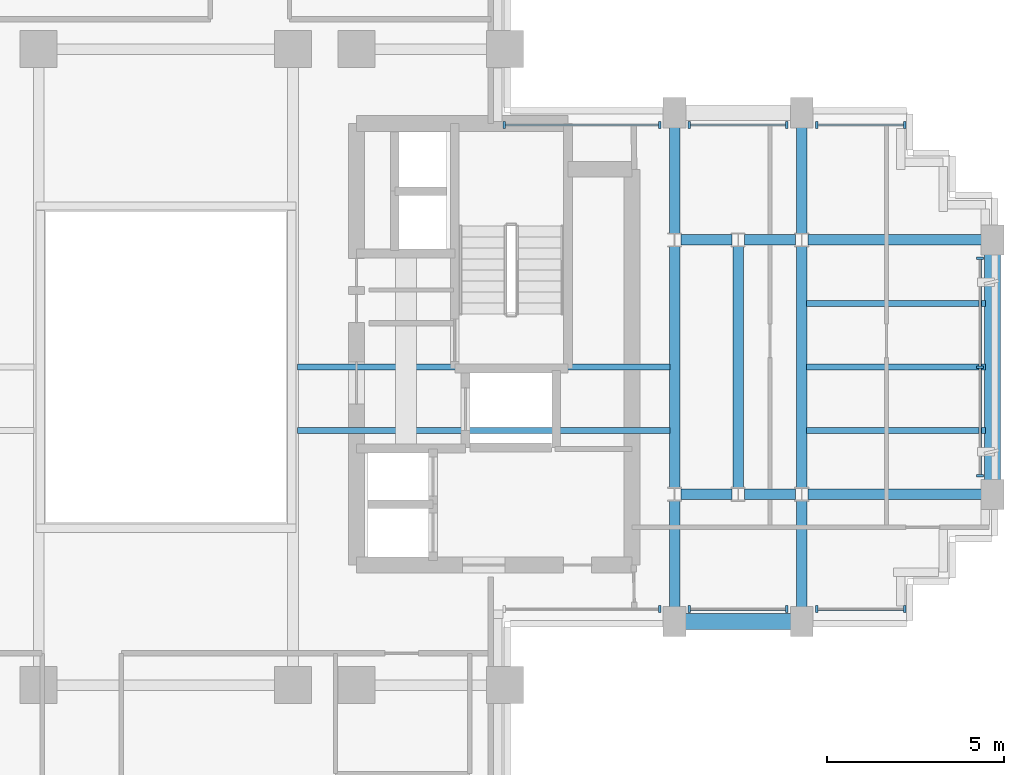
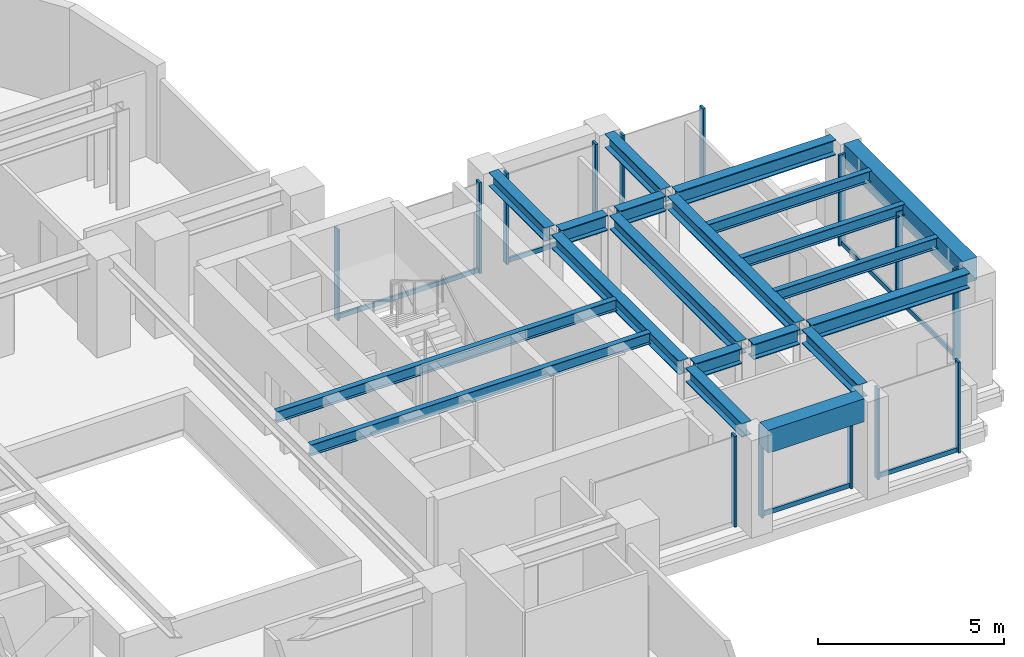
# One storey, part 5 of 14: 21 members, 20 beams, 7 elements without a shape of their own.
"""IFC4 building model written with IfcOpenShell, lengths in metres."""

from ifc_helpers import new_model, si_unit, direction, frame, origin, origin_2d, place, context, subcontext, project, spatial, rectangle, i_section, extrude, source, transform, mapped, material, material_profile, profile_set, type_object, element, aggregate, save


model = new_model("IFC4")

# Units and contexts
model_context = context("Model", 3, precision=1e-05, world=origin(), true_north=direction((0.0, 1.0)))
body_context = subcontext(model_context, "Body", "Model", "MODEL_VIEW")
ifc_project = project(units=[si_unit("LENGTHUNIT", "METRE"), si_unit("AREAUNIT", "SQUARE_METRE"), si_unit("VOLUMEUNIT", "CUBIC_METRE"), si_unit("PLANEANGLEUNIT", "RADIAN"), si_unit("MASSUNIT", "GRAM", prefix="KILO")], contexts=[model_context])

# Site, building, storey
site_placement = place(None, origin())
site = spatial("IfcSite", under=ifc_project, at=site_placement, CompositionType="ELEMENT")
building_placement = place(site_placement, origin())
building = spatial("IfcBuilding", under=site, at=building_placement, Name="Keilestroom Media Tower", CompositionType="ELEMENT")
storey_placement = place(building_placement, frame((0.0, 0.0, 121.0)))
storey = spatial("IfcBuildingStorey", under=building, at=storey_placement, Name="L32", CompositionType="ELEMENT", Elevation=121.0)

# Beams
ifc_material_1 = material(Name="Steel S355", Category="steel")
ifc_material_profile_1 = material_profile(ifc_material_1, i_section(OverallWidth=0.169921875, OverallDepth=0.360107421875, WebThickness=0.008056640625, FlangeThickness=0.0126953125, at=origin_2d()), Name="IPE 360")
ifc_profile_set_1 = profile_set([ifc_material_profile_1], Name="Steel S355")
beam_type_1 = type_object("IfcBeamType", Name="Secondary-Floor-Joist-IPE-360", PredefinedType="JOIST", material=ifc_profile_set_1)
shared_shape_1 = source(origin(), body_context, "Body", "SweptSolid", [
    extrude(i_section(OverallWidth=0.169921875, OverallDepth=0.360107421875, WebThickness=0.008056640625, FlangeThickness=0.0126953125, at=origin_2d()), origin(), (0.0, 0.0, 1.0), 10.5400390625),
])
for number, where, z_axis, x_axis, name in (
    (1, (3.72998046875, -1.800048828125, 3.02001953125), (1.0, 0.0, 0.0), (0.0, 1.0, 0.0), "L32 Beam BJ-5 JST-L32-074"),
    (2, (3.72998046875, 0.0, 3.02001953125), (1.0, 0.0, 0.0), (0.0, 1.0, 0.0), "L32 Beam BJ-5 JST-L32-079"),
):
    element("IfcBeam", number, at=place(storey_placement, frame(where, z_axis=z_axis, x_axis=x_axis)), inside=storey, type_object=beam_type_1, Name=name, PredefinedType="JOIST", context=body_context, shape_type="MappedRepresentation", body=[
        mapped(shared_shape_1, transform((0.0, 0.0, 0.0), x_axis=(1.0, 0.0, 0.0), y_axis=(0.0, 1.0, 0.0), z_axis=(0.0, 0.0, 1.0), scale=1.0)),
    ])
ifc_material_2 = material(Name="Precast concrete C40/50", Category="concrete")
ifc_material_profile_2 = material_profile(ifc_material_2, rectangle(XDim=0.449951171875, YDim=0.75, at=origin_2d()), Name="PC 450x750")
ifc_profile_set_2 = profile_set([ifc_material_profile_2], Name="Precast concrete C40/50")
beam_type_2 = type_object("IfcBeamType", Name="Perimeter-Spandrel-Beam-PC-450x750", PredefinedType="SPANDREL", material=ifc_profile_set_2)
shared_shape_2 = source(origin(), body_context, "Body", "SweptSolid", [
    extrude(rectangle(XDim=0.449951171875, YDim=0.75, at=origin_2d()), origin(), (0.0, 0.0, 1.0), 2.989990234375),
])
beam_1_placement = place(storey_placement, frame((14.705078125, -7.199951171875, 2.824951171875), z_axis=(1.0, 0.0, 0.0), x_axis=(0.0, 1.0, 0.0)))
element("IfcBeam", 3, at=beam_1_placement, inside=storey, type_object=beam_type_2, Name="L32 Beam SPB-1 BM-L32-EW-013", PredefinedType="SPANDREL", context=body_context, shape_type="MappedRepresentation", body=[
    mapped(shared_shape_2, transform((0.0, 0.0, 0.0), x_axis=(1.0, 0.0, 0.0), y_axis=(0.0, 1.0, 0.0), z_axis=(0.0, 0.0, 1.0), scale=1.0)),
])
ifc_material_profile_3 = material_profile(ifc_material_1, i_section(OverallWidth=0.300048828125, OverallDepth=0.5, WebThickness=0.012451171875, FlangeThickness=0.028076171875, at=origin_2d()), Name="HEB 500")
ifc_profile_set_3 = profile_set([ifc_material_profile_3], Name="Steel S355")
beam_type_3 = type_object("IfcBeamType", Name="Primary-Structural-Girder-HEB-500", PredefinedType="BEAM", material=ifc_profile_set_3)
shared_shape_3 = source(origin(), body_context, "Body", "SweptSolid", [
    extrude(i_section(OverallWidth=0.300048828125, OverallDepth=0.5, WebThickness=0.012451171875, FlangeThickness=0.028076171875, at=origin_2d()), origin(), (0.0, 0.0, 1.0), 4.91455078125),
])
for number, where, z_axis, x_axis, name in (
    (4, (18.180419921875, -3.60009765625, 2.949951171875), (1.0, 0.0, 0.0), (0.0, 1.0, 0.0), "L32 Beam BG-6 BM-L32-EW-019"),
    (5, (18.180419921875, 3.60009765625, 2.949951171875), (1.0, 0.0, 0.0), (0.0, 1.0, 0.0), "L32 Beam BG-6 BM-L32-EW-025"),
):
    element("IfcBeam", number, at=place(storey_placement, frame(where, z_axis=z_axis, x_axis=x_axis)), inside=storey, type_object=beam_type_3, Name=name, PredefinedType="BEAM", context=body_context, shape_type="MappedRepresentation", body=[
        mapped(shared_shape_3, transform((0.0, 0.0, 0.0), x_axis=(1.0, 0.0, 0.0), y_axis=(0.0, 1.0, 0.0), z_axis=(0.0, 0.0, 1.0), scale=1.0)),
    ])
shared_shape_4 = source(origin(), body_context, "Body", "SweptSolid", [
    extrude(i_section(OverallWidth=0.300048828125, OverallDepth=0.5, WebThickness=0.012451171875, FlangeThickness=0.028076171875, at=origin_2d()), origin(), (0.0, 0.0, 1.0), 1.43896484375),
])
for number, where, z_axis, x_axis, name in (
    (6, (14.58056640625, -3.60009765625, 2.949951171875), (1.0, 0.0, 0.0), (0.0, 1.0, 0.0), "L32 Beam BG-6 BM-L32-EW-017"),
    (7, (16.380615234375, -3.60009765625, 2.949951171875), (1.0, 0.0, 0.0), (0.0, 1.0, 0.0), "L32 Beam BG-6 BM-L32-EW-018"),
    (8, (14.58056640625, 3.60009765625, 2.949951171875), (1.0, 0.0, 0.0), (0.0, 1.0, 0.0), "L32 Beam BG-6 BM-L32-EW-023"),
    (9, (16.380615234375, 3.60009765625, 2.949951171875), (1.0, 0.0, 0.0), (0.0, 1.0, 0.0), "L32 Beam BG-6 BM-L32-EW-024"),
):
    element("IfcBeam", number, at=place(storey_placement, frame(where, z_axis=z_axis, x_axis=x_axis)), inside=storey, type_object=beam_type_3, Name=name, PredefinedType="BEAM", context=body_context, shape_type="MappedRepresentation", body=[
        mapped(shared_shape_4, transform((0.0, 0.0, 0.0), x_axis=(1.0, 0.0, 0.0), y_axis=(0.0, 1.0, 0.0), z_axis=(0.0, 0.0, 1.0), scale=1.0)),
    ])
shared_shape_5 = source(origin(), body_context, "Body", "SweptSolid", [
    extrude(rectangle(XDim=0.449951171875, YDim=0.75, at=origin_2d()), origin(), (0.0, 0.0, 1.0), 6.39013671875),
])
beam_2_placement = place(storey_placement, frame((23.39990234375, -3.195068359375, 2.824951171875), z_axis=(0.0, 1.0, 0.0), x_axis=(-1.0, 0.0, 0.0)))
element("IfcBeam", 10, at=beam_2_placement, inside=storey, type_object=beam_type_2, Name="L32 Beam SPB-1 BM-L32-NS-068", PredefinedType="SPANDREL", context=body_context, shape_type="MappedRepresentation", body=[
    mapped(shared_shape_5, transform((0.0, 0.0, 0.0), x_axis=(1.0, 0.0, 0.0), y_axis=(0.0, 1.0, 0.0), z_axis=(0.0, 0.0, 1.0), scale=1.0)),
])
ifc_material_profile_4 = material_profile(ifc_material_1, i_section(OverallWidth=0.300048828125, OverallDepth=0.449951171875, WebThickness=0.011962890625, FlangeThickness=0.02587890625, at=origin_2d()), Name="HEB 450")
ifc_profile_set_4 = profile_set([ifc_material_profile_4], Name="Steel S355")
beam_type_4 = type_object("IfcBeamType", Name="Primary-Structural-Girder-HEB-450", PredefinedType="BEAM", material=ifc_profile_set_4)
shared_shape_6 = source(origin(), body_context, "Body", "SweptSolid", [
    extrude(i_section(OverallWidth=0.300048828125, OverallDepth=0.449951171875, WebThickness=0.011962890625, FlangeThickness=0.02587890625, at=origin_2d()), origin(), (0.0, 0.0, 1.0), 3.015380859375),
])
for number, where, z_axis, x_axis, name in (
    (11, (14.39990234375, -6.794921875, 2.97509765625), (0.0, 1.0, 0.0), (-1.0, 0.0, 0.0), "L32 Beam BG-7 BM-L32-NS-061"),
    (12, (14.39990234375, 3.779541015625, 2.97509765625), (0.0, 1.0, 0.0), (-1.0, 0.0, 0.0), "L32 Beam BG-7 BM-L32-NS-063"),
    (13, (18.0, -6.794921875, 2.97509765625), (0.0, 1.0, 0.0), (-1.0, 0.0, 0.0), "L32 Beam BG-7 BM-L32-NS-065"),
    (14, (18.0, 3.779541015625, 2.97509765625), (0.0, 1.0, 0.0), (-1.0, 0.0, 0.0), "L32 Beam BG-7 BM-L32-NS-067"),
):
    element("IfcBeam", number, at=place(storey_placement, frame(where, z_axis=z_axis, x_axis=x_axis)), inside=storey, type_object=beam_type_4, Name=name, PredefinedType="BEAM", context=body_context, shape_type="MappedRepresentation", body=[
        mapped(shared_shape_6, transform((0.0, 0.0, 0.0), x_axis=(1.0, 0.0, 0.0), y_axis=(0.0, 1.0, 0.0), z_axis=(0.0, 0.0, 1.0), scale=1.0)),
    ])
shared_shape_7 = source(origin(), body_context, "Body", "SweptSolid", [
    extrude(i_section(OverallWidth=0.300048828125, OverallDepth=0.449951171875, WebThickness=0.011962890625, FlangeThickness=0.02587890625, at=origin_2d()), origin(), (0.0, 0.0, 1.0), 6.8408203125),
])
for number, where, z_axis, x_axis, name in (
    (15, (14.39990234375, -3.42041015625, 2.97509765625), (0.0, 1.0, 0.0), (-1.0, 0.0, 0.0), "L32 Beam BG-7 BM-L32-NS-062"),
    (16, (16.199951171875, -3.42041015625, 2.97509765625), (0.0, 1.0, 0.0), (-1.0, 0.0, 0.0), "L32 Beam BG-7 BM-L32-NS-064"),
    (17, (18.0, -3.42041015625, 2.97509765625), (0.0, 1.0, 0.0), (-1.0, 0.0, 0.0), "L32 Beam BG-7 BM-L32-NS-066"),
):
    element("IfcBeam", number, at=place(storey_placement, frame(where, z_axis=z_axis, x_axis=x_axis)), inside=storey, type_object=beam_type_4, Name=name, PredefinedType="BEAM", context=body_context, shape_type="MappedRepresentation", body=[
        mapped(shared_shape_7, transform((0.0, 0.0, 0.0), x_axis=(1.0, 0.0, 0.0), y_axis=(0.0, 1.0, 0.0), z_axis=(0.0, 0.0, 1.0), scale=1.0)),
    ])
shared_shape_8 = source(origin(), body_context, "Body", "SweptSolid", [
    extrude(i_section(OverallWidth=0.169921875, OverallDepth=0.360107421875, WebThickness=0.008056640625, FlangeThickness=0.0126953125, at=origin_2d()), origin(), (0.0, 0.0, 1.0), 5.065185546875),
])
for number, where, z_axis, x_axis, name in (
    (18, (18.1298828125, -1.800048828125, 3.02001953125), (1.0, 0.0, 0.0), (0.0, 1.0, 0.0), "L32 Beam BJ-5 JST-L32-075"),
    (19, (18.1298828125, 0.0, 3.02001953125), (1.0, 0.0, 0.0), (0.0, 1.0, 0.0), "L32 Beam BJ-5 JST-L32-080"),
    (20, (18.1298828125, 1.800048828125, 3.02001953125), (1.0, 0.0, 0.0), (0.0, 1.0, 0.0), "L32 Beam BJ-5 JST-L32-085"),
):
    element("IfcBeam", number, at=place(storey_placement, frame(where, z_axis=z_axis, x_axis=x_axis)), inside=storey, type_object=beam_type_1, Name=name, PredefinedType="JOIST", context=body_context, shape_type="MappedRepresentation", body=[
        mapped(shared_shape_8, transform((0.0, 0.0, 0.0), x_axis=(1.0, 0.0, 0.0), y_axis=(0.0, 1.0, 0.0), z_axis=(0.0, 0.0, 1.0), scale=1.0)),
    ])

# Curtain wall, members
ifc_material_3 = material(Name="Anodised Aluminium Alloy", Category="aluminium")
curtain_wall_type = type_object("IfcCurtainWallType", Name="Unitised-Curtain-Wall-CW-2", PredefinedType="NOTDEFINED", material=ifc_material_3)
curtain_wall_1_placement = place(storey_placement, origin())
curtain_wall_1 = element("IfcCurtainWall", 21, at=curtain_wall_1_placement, inside=storey, type_object=curtain_wall_type, Name="L32 Curtain Wall CW-2 CW-L32-E-1", PredefinedType="NOTDEFINED")
ifc_material_profile_5 = material_profile(ifc_material_3, rectangle(XDim=0.070068359375, YDim=0.199951171875, at=origin_2d()), Name="ALU MULLION 70x200")
ifc_profile_set_5 = profile_set([ifc_material_profile_5], Name="Anodised Aluminium Alloy")
member_type_1 = type_object("IfcMemberType", Name="Curtain-Wall-Mullion-CW-2", PredefinedType="MULLION", material=ifc_profile_set_5)
shared_shape_9 = source(origin(), body_context, "Body", "SweptSolid", [
    extrude(rectangle(XDim=0.070068359375, YDim=0.199951171875, at=origin_2d()), origin(), (0.0, 0.0, 1.0), 2.97998046875),
])
member_1_placement = place(storey_placement, frame((23.050048828125, -3.080078125, 0.0), z_axis=(0.0, 0.0, 1.0), x_axis=(0.0, 1.0, 0.0)))
member_1 = element("IfcMember", 22, at=member_1_placement, type_object=member_type_1, Name="CW-2 Mullion 00", PredefinedType="MULLION", context=body_context, shape_type="MappedRepresentation", body=[
    mapped(shared_shape_9, transform((0.0, 0.0, 0.0), x_axis=(1.0, 0.0, 0.0), y_axis=(0.0, 1.0, 0.0), z_axis=(0.0, 0.0, 1.0), scale=1.0)),
])
member_2_placement = place(storey_placement, frame((23.050048828125, 0.0, 0.0), z_axis=(0.0, 0.0, 1.0), x_axis=(0.0, 1.0, 0.0)))
member_2 = element("IfcMember", 23, at=member_2_placement, type_object=member_type_1, Name="CW-2 Mullion 01", PredefinedType="MULLION", context=body_context, shape_type="MappedRepresentation", body=[
    mapped(shared_shape_9, transform((0.0, 0.0, 0.0), x_axis=(1.0, 0.0, 0.0), y_axis=(0.0, 1.0, 0.0), z_axis=(0.0, 0.0, 1.0), scale=1.0)),
])
member_3_placement = place(storey_placement, frame((23.050048828125, 3.080078125, 0.0), z_axis=(0.0, 0.0, 1.0), x_axis=(0.0, 1.0, 0.0)))
member_3 = element("IfcMember", 24, at=member_3_placement, type_object=member_type_1, Name="CW-2 Mullion 02", PredefinedType="MULLION", context=body_context, shape_type="MappedRepresentation", body=[
    mapped(shared_shape_9, transform((0.0, 0.0, 0.0), x_axis=(1.0, 0.0, 0.0), y_axis=(0.0, 1.0, 0.0), z_axis=(0.0, 0.0, 1.0), scale=1.0)),
])

curtain_wall_2_placement = place(storey_placement, origin())
curtain_wall_2 = element("IfcCurtainWall", 25, at=curtain_wall_2_placement, inside=storey, type_object=curtain_wall_type, Name="L32 Curtain Wall CW-2 CW-L32-NE-1", PredefinedType="NOTDEFINED")
member_4_placement = place(storey_placement, frame((9.5849609375, 6.85009765625, 0.0), z_axis=(0.0, 0.0, 1.0), x_axis=(1.0, 0.0, 0.0)))
member_4 = element("IfcMember", 26, at=member_4_placement, type_object=member_type_1, Name="CW-2 Mullion 00", PredefinedType="MULLION", context=body_context, shape_type="MappedRepresentation", body=[
    mapped(shared_shape_9, transform((0.0, 0.0, 0.0), x_axis=(1.0, 0.0, 0.0), y_axis=(0.0, 1.0, 0.0), z_axis=(0.0, 0.0, 1.0), scale=1.0)),
])
member_5_placement = place(storey_placement, frame((13.97998046875, 6.85009765625, 0.0), z_axis=(0.0, 0.0, 1.0), x_axis=(1.0, 0.0, 0.0)))
member_5 = element("IfcMember", 27, at=member_5_placement, type_object=member_type_1, Name="CW-2 Mullion 01", PredefinedType="MULLION", context=body_context, shape_type="MappedRepresentation", body=[
    mapped(shared_shape_9, transform((0.0, 0.0, 0.0), x_axis=(1.0, 0.0, 0.0), y_axis=(0.0, 1.0, 0.0), z_axis=(0.0, 0.0, 1.0), scale=1.0)),
])

curtain_wall_3_placement = place(storey_placement, origin())
curtain_wall_3 = element("IfcCurtainWall", 28, at=curtain_wall_3_placement, inside=storey, type_object=curtain_wall_type, Name="L32 Curtain Wall CW-2 CW-L32-NE-2", PredefinedType="NOTDEFINED")
member_6_placement = place(storey_placement, frame((14.820068359375, 6.85009765625, 0.0), z_axis=(0.0, 0.0, 1.0), x_axis=(1.0, 0.0, 0.0)))
member_6 = element("IfcMember", 29, at=member_6_placement, type_object=member_type_1, Name="CW-2 Mullion 00", PredefinedType="MULLION", context=body_context, shape_type="MappedRepresentation", body=[
    mapped(shared_shape_9, transform((0.0, 0.0, 0.0), x_axis=(1.0, 0.0, 0.0), y_axis=(0.0, 1.0, 0.0), z_axis=(0.0, 0.0, 1.0), scale=1.0)),
])
member_7_placement = place(storey_placement, frame((17.580078125, 6.85009765625, 0.0), z_axis=(0.0, 0.0, 1.0), x_axis=(1.0, 0.0, 0.0)))
member_7 = element("IfcMember", 30, at=member_7_placement, type_object=member_type_1, Name="CW-2 Mullion 01", PredefinedType="MULLION", context=body_context, shape_type="MappedRepresentation", body=[
    mapped(shared_shape_9, transform((0.0, 0.0, 0.0), x_axis=(1.0, 0.0, 0.0), y_axis=(0.0, 1.0, 0.0), z_axis=(0.0, 0.0, 1.0), scale=1.0)),
])

curtain_wall_4_placement = place(storey_placement, origin())
curtain_wall_4 = element("IfcCurtainWall", 31, at=curtain_wall_4_placement, inside=storey, type_object=curtain_wall_type, Name="L32 Curtain Wall CW-2 CW-L32-NE-3", PredefinedType="NOTDEFINED")
member_8_placement = place(storey_placement, frame((18.419921875, 6.85009765625, 0.0), z_axis=(0.0, 0.0, 1.0), x_axis=(1.0, 0.0, 0.0)))
member_8 = element("IfcMember", 32, at=member_8_placement, type_object=member_type_1, Name="CW-2 Mullion 00", PredefinedType="MULLION", context=body_context, shape_type="MappedRepresentation", body=[
    mapped(shared_shape_9, transform((0.0, 0.0, 0.0), x_axis=(1.0, 0.0, 0.0), y_axis=(0.0, 1.0, 0.0), z_axis=(0.0, 0.0, 1.0), scale=1.0)),
])
member_9_placement = place(storey_placement, frame((20.9150390625, 6.85009765625, 0.0), z_axis=(0.0, 0.0, 1.0), x_axis=(1.0, 0.0, 0.0)))
member_9 = element("IfcMember", 33, at=member_9_placement, type_object=member_type_1, Name="CW-2 Mullion 01", PredefinedType="MULLION", context=body_context, shape_type="MappedRepresentation", body=[
    mapped(shared_shape_9, transform((0.0, 0.0, 0.0), x_axis=(1.0, 0.0, 0.0), y_axis=(0.0, 1.0, 0.0), z_axis=(0.0, 0.0, 1.0), scale=1.0)),
])

# Curtain wall, member
curtain_wall_5_placement = place(storey_placement, origin())
curtain_wall_5 = element("IfcCurtainWall", 34, at=curtain_wall_5_placement, inside=storey, type_object=curtain_wall_type, Name="L32 Curtain Wall CW-2 CW-L32-SE-1", PredefinedType="NOTDEFINED")
member_10_placement = place(storey_placement, frame((13.97998046875, -6.85009765625, 0.0), z_axis=(0.0, 0.0, 1.0), x_axis=(1.0, 0.0, 0.0)))
member_10 = element("IfcMember", 35, at=member_10_placement, type_object=member_type_1, Name="CW-2 Mullion 01", PredefinedType="MULLION", context=body_context, shape_type="MappedRepresentation", body=[
    mapped(shared_shape_9, transform((0.0, 0.0, 0.0), x_axis=(1.0, 0.0, 0.0), y_axis=(0.0, 1.0, 0.0), z_axis=(0.0, 0.0, 1.0), scale=1.0)),
])
aggregate(curtain_wall_5, [member_10])

# Curtain wall, members
curtain_wall_6_placement = place(storey_placement, origin())
curtain_wall_6 = element("IfcCurtainWall", 36, at=curtain_wall_6_placement, inside=storey, type_object=curtain_wall_type, Name="L32 Curtain Wall CW-2 CW-L32-SE-2", PredefinedType="NOTDEFINED")
member_11_placement = place(storey_placement, frame((14.820068359375, -6.85009765625, 0.0), z_axis=(0.0, 0.0, 1.0), x_axis=(1.0, 0.0, 0.0)))
member_11 = element("IfcMember", 37, at=member_11_placement, type_object=member_type_1, Name="CW-2 Mullion 00", PredefinedType="MULLION", context=body_context, shape_type="MappedRepresentation", body=[
    mapped(shared_shape_9, transform((0.0, 0.0, 0.0), x_axis=(1.0, 0.0, 0.0), y_axis=(0.0, 1.0, 0.0), z_axis=(0.0, 0.0, 1.0), scale=1.0)),
])
member_12_placement = place(storey_placement, frame((17.580078125, -6.85009765625, 0.0), z_axis=(0.0, 0.0, 1.0), x_axis=(1.0, 0.0, 0.0)))
member_12 = element("IfcMember", 38, at=member_12_placement, type_object=member_type_1, Name="CW-2 Mullion 01", PredefinedType="MULLION", context=body_context, shape_type="MappedRepresentation", body=[
    mapped(shared_shape_9, transform((0.0, 0.0, 0.0), x_axis=(1.0, 0.0, 0.0), y_axis=(0.0, 1.0, 0.0), z_axis=(0.0, 0.0, 1.0), scale=1.0)),
])

curtain_wall_7_placement = place(storey_placement, origin())
curtain_wall_7 = element("IfcCurtainWall", 39, at=curtain_wall_7_placement, inside=storey, type_object=curtain_wall_type, Name="L32 Curtain Wall CW-2 CW-L32-SE-3", PredefinedType="NOTDEFINED")
member_13_placement = place(storey_placement, frame((18.419921875, -6.85009765625, 0.0), z_axis=(0.0, 0.0, 1.0), x_axis=(1.0, 0.0, 0.0)))
member_13 = element("IfcMember", 40, at=member_13_placement, type_object=member_type_1, Name="CW-2 Mullion 00", PredefinedType="MULLION", context=body_context, shape_type="MappedRepresentation", body=[
    mapped(shared_shape_9, transform((0.0, 0.0, 0.0), x_axis=(1.0, 0.0, 0.0), y_axis=(0.0, 1.0, 0.0), z_axis=(0.0, 0.0, 1.0), scale=1.0)),
])
member_14_placement = place(storey_placement, frame((20.9150390625, -6.85009765625, 0.0), z_axis=(0.0, 0.0, 1.0), x_axis=(1.0, 0.0, 0.0)))
member_14 = element("IfcMember", 41, at=member_14_placement, type_object=member_type_1, Name="CW-2 Mullion 01", PredefinedType="MULLION", context=body_context, shape_type="MappedRepresentation", body=[
    mapped(shared_shape_9, transform((0.0, 0.0, 0.0), x_axis=(1.0, 0.0, 0.0), y_axis=(0.0, 1.0, 0.0), z_axis=(0.0, 0.0, 1.0), scale=1.0)),
])

# Member
ifc_material_profile_6 = material_profile(ifc_material_3, rectangle(XDim=0.06494140625, YDim=0.14990234375, at=origin_2d()), Name="ALU TRANSOM 65x150")
ifc_profile_set_6 = profile_set([ifc_material_profile_6], Name="Anodised Aluminium Alloy")
member_type_2 = type_object("IfcMemberType", Name="Curtain-Wall-Transom-CW-2", PredefinedType="USERDEFINED", material=ifc_profile_set_6)
shared_shape_10 = source(origin(), body_context, "Body", "SweptSolid", [
    extrude(rectangle(XDim=0.06494140625, YDim=0.14990234375, at=origin_2d()), origin(), (0.0, 0.0, 1.0), 2.42919921875),
])
member_15_placement = place(storey_placement, frame((18.452880859375, 6.85009765625, 0.074951171875), z_axis=(1.0, 0.0, 0.0), x_axis=(0.0, 1.0, 0.0)))
member_15 = element("IfcMember", 42, at=member_15_placement, type_object=member_type_2, Name="CW-2 Transom 00.1", ObjectType="TRANSOM", PredefinedType="USERDEFINED", context=body_context, shape_type="MappedRepresentation", body=[
    mapped(shared_shape_10, transform((0.0, 0.0, 0.0), x_axis=(1.0, 0.0, 0.0), y_axis=(0.0, 1.0, 0.0), z_axis=(0.0, 0.0, 1.0), scale=1.0)),
])

aggregate(curtain_wall_4, [member_8, member_9, member_15])

member_16_placement = place(storey_placement, frame((18.452880859375, -6.85009765625, 0.074951171875), z_axis=(1.0, 0.0, 0.0), x_axis=(0.0, 1.0, 0.0)))
member_16 = element("IfcMember", 43, at=member_16_placement, type_object=member_type_2, Name="CW-2 Transom 00.1", ObjectType="TRANSOM", PredefinedType="USERDEFINED", context=body_context, shape_type="MappedRepresentation", body=[
    mapped(shared_shape_10, transform((0.0, 0.0, 0.0), x_axis=(1.0, 0.0, 0.0), y_axis=(0.0, 1.0, 0.0), z_axis=(0.0, 0.0, 1.0), scale=1.0)),
])

aggregate(curtain_wall_7, [member_13, member_14, member_16])

shared_shape_11 = source(origin(), body_context, "Body", "SweptSolid", [
    extrude(rectangle(XDim=0.06494140625, YDim=0.14990234375, at=origin_2d()), origin(), (0.0, 0.0, 1.0), 2.694091796875),
])
member_17_placement = place(storey_placement, frame((14.85302734375, 6.85009765625, 0.074951171875), z_axis=(1.0, 0.0, 0.0), x_axis=(0.0, 1.0, 0.0)))
member_17 = element("IfcMember", 44, at=member_17_placement, type_object=member_type_2, Name="CW-2 Transom 00.1", ObjectType="TRANSOM", PredefinedType="USERDEFINED", context=body_context, shape_type="MappedRepresentation", body=[
    mapped(shared_shape_11, transform((0.0, 0.0, 0.0), x_axis=(1.0, 0.0, 0.0), y_axis=(0.0, 1.0, 0.0), z_axis=(0.0, 0.0, 1.0), scale=1.0)),
])

aggregate(curtain_wall_3, [member_6, member_7, member_17])

member_18_placement = place(storey_placement, frame((14.85302734375, -6.85009765625, 0.074951171875), z_axis=(1.0, 0.0, 0.0), x_axis=(0.0, 1.0, 0.0)))
member_18 = element("IfcMember", 45, at=member_18_placement, type_object=member_type_2, Name="CW-2 Transom 00.1", ObjectType="TRANSOM", PredefinedType="USERDEFINED", context=body_context, shape_type="MappedRepresentation", body=[
    mapped(shared_shape_11, transform((0.0, 0.0, 0.0), x_axis=(1.0, 0.0, 0.0), y_axis=(0.0, 1.0, 0.0), z_axis=(0.0, 0.0, 1.0), scale=1.0)),
])

aggregate(curtain_wall_6, [member_11, member_12, member_18])

shared_shape_12 = source(origin(), body_context, "Body", "SweptSolid", [
    extrude(rectangle(XDim=0.06494140625, YDim=0.14990234375, at=origin_2d()), origin(), (0.0, 0.0, 1.0), 4.3291015625),
])
member_19_placement = place(storey_placement, frame((9.617919921875, 6.85009765625, 0.074951171875), z_axis=(1.0, 0.0, 0.0), x_axis=(0.0, 1.0, 0.0)))
member_19 = element("IfcMember", 46, at=member_19_placement, type_object=member_type_2, Name="CW-2 Transom 00.1", ObjectType="TRANSOM", PredefinedType="USERDEFINED", context=body_context, shape_type="MappedRepresentation", body=[
    mapped(shared_shape_12, transform((0.0, 0.0, 0.0), x_axis=(1.0, 0.0, 0.0), y_axis=(0.0, 1.0, 0.0), z_axis=(0.0, 0.0, 1.0), scale=1.0)),
])

aggregate(curtain_wall_2, [member_4, member_5, member_19])

shared_shape_13 = source(origin(), body_context, "Body", "SweptSolid", [
    extrude(rectangle(XDim=0.06494140625, YDim=0.14990234375, at=origin_2d()), origin(), (0.0, 0.0, 1.0), 3.01416015625),
])
member_20_placement = place(storey_placement, frame((23.050048828125, -3.047119140625, 0.074951171875), z_axis=(0.0, 1.0, 0.0), x_axis=(-1.0, 0.0, 0.0)))
member_20 = element("IfcMember", 47, at=member_20_placement, type_object=member_type_2, Name="CW-2 Transom 00.1", ObjectType="TRANSOM", PredefinedType="USERDEFINED", context=body_context, shape_type="MappedRepresentation", body=[
    mapped(shared_shape_13, transform((0.0, 0.0, 0.0), x_axis=(1.0, 0.0, 0.0), y_axis=(0.0, 1.0, 0.0), z_axis=(0.0, 0.0, 1.0), scale=1.0)),
])

member_21_placement = place(storey_placement, frame((23.050048828125, 0.032958984375, 0.074951171875), z_axis=(0.0, 1.0, 0.0), x_axis=(-1.0, 0.0, 0.0)))
member_21 = element("IfcMember", 48, at=member_21_placement, type_object=member_type_2, Name="CW-2 Transom 01.1", ObjectType="TRANSOM", PredefinedType="USERDEFINED", context=body_context, shape_type="MappedRepresentation", body=[
    mapped(shared_shape_13, transform((0.0, 0.0, 0.0), x_axis=(1.0, 0.0, 0.0), y_axis=(0.0, 1.0, 0.0), z_axis=(0.0, 0.0, 1.0), scale=1.0)),
])

aggregate(curtain_wall_1, [member_1, member_2, member_3, member_20, member_21])

save(model, "model.ifc")
